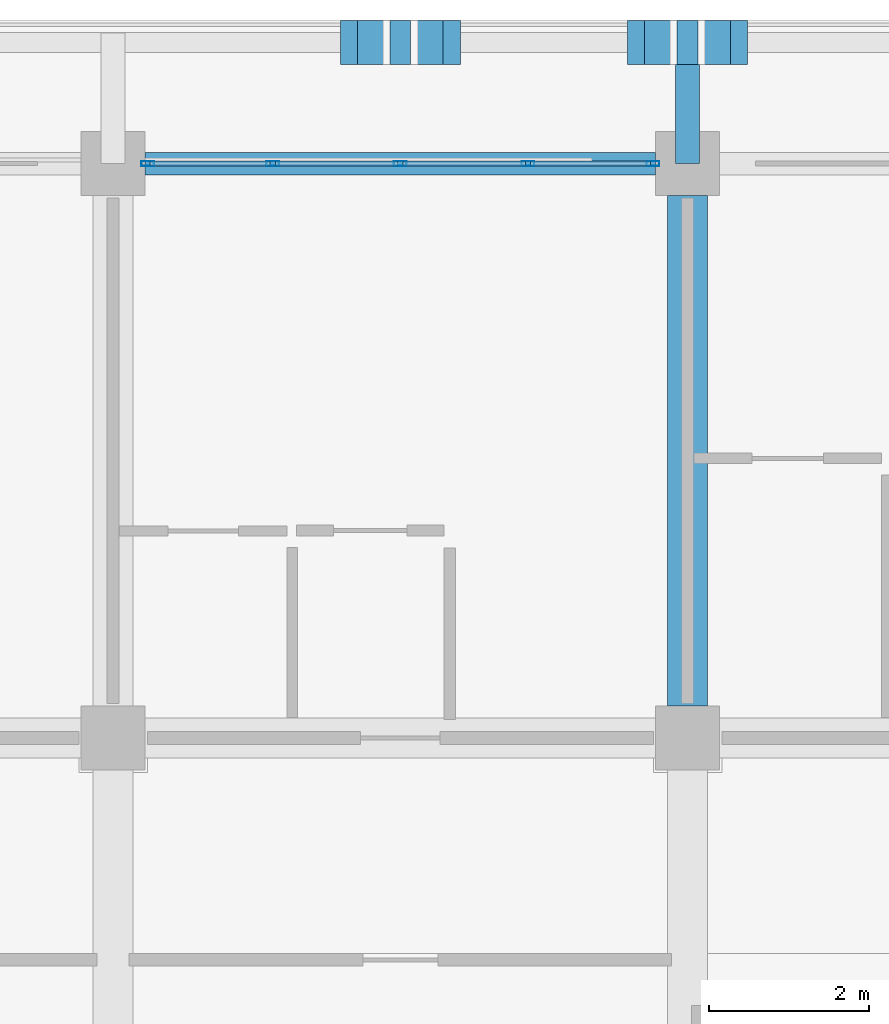
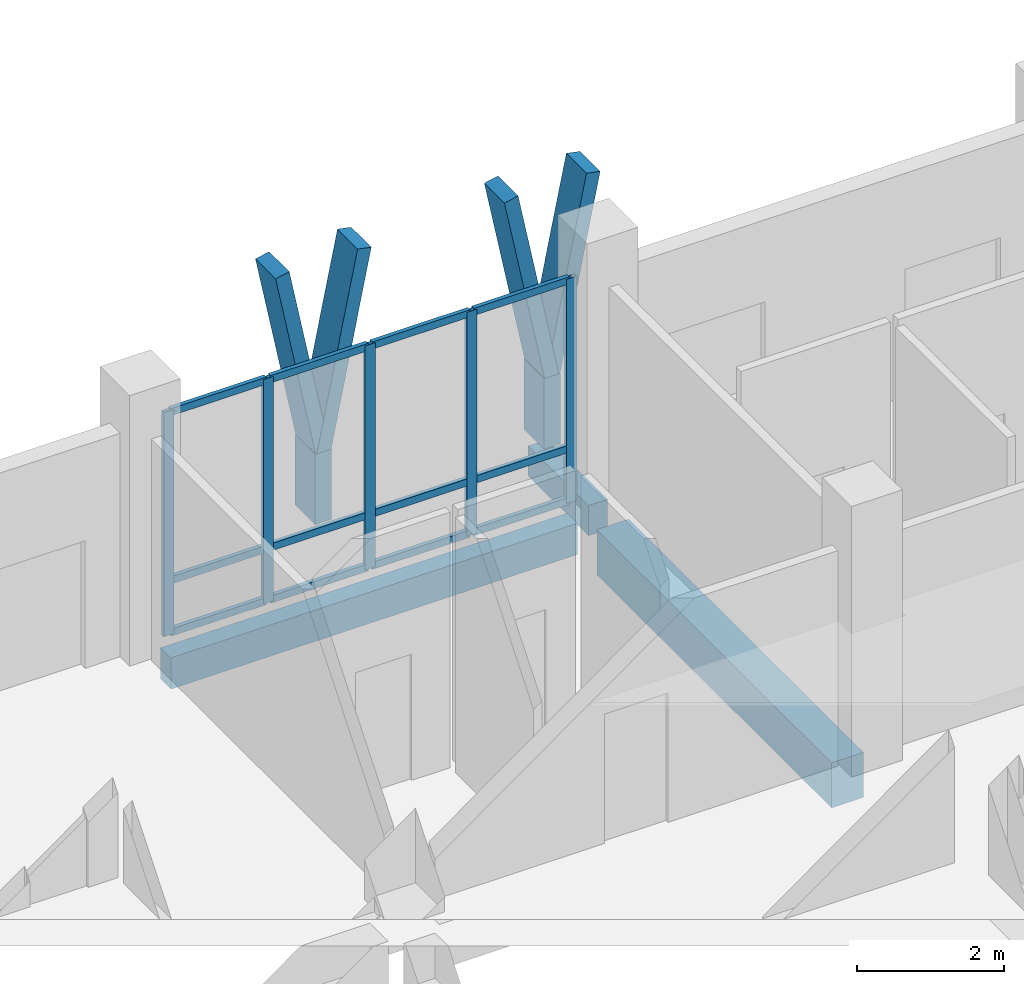
# One storey, part 29 of 110: 23 members, 3 beams, 1 element without a shape of its own.
"""IFC4 building model written with IfcOpenShell, lengths in metres."""

from ifc_helpers import new_model, si_unit, direction, frame, origin, origin_2d, place, context, subcontext, project, spatial, rectangle, hollow_rectangle, extrude, material, material_profile, profile_set, type_object, element, aggregate, save


model = new_model("IFC4")

# Units and contexts
model_context = context("Model", 3, precision=1e-05, world=origin(), true_north=direction((0.0, 1.0)))
body_context = subcontext(model_context, "Body", "Model", "MODEL_VIEW")
ifc_project = project(units=[si_unit("LENGTHUNIT", "METRE"), si_unit("AREAUNIT", "SQUARE_METRE"), si_unit("VOLUMEUNIT", "CUBIC_METRE"), si_unit("PLANEANGLEUNIT", "RADIAN"), si_unit("MASSUNIT", "GRAM", prefix="KILO")], contexts=[model_context])

# Site, building, storey
site_placement = place(None, origin())
site = spatial("IfcSite", under=ifc_project, at=site_placement, CompositionType="ELEMENT")
building_placement = place(site_placement, origin())
building = spatial("IfcBuilding", under=site, at=building_placement, Name="Suanplinth Sawtooth Commons", CompositionType="ELEMENT")
storey_placement = place(building_placement, frame((0.0, 0.0, 4.5)))
storey = spatial("IfcBuildingStorey", under=building, at=storey_placement, Name="L01", CompositionType="ELEMENT", Elevation=4.5)

# Beams
ifc_material_1 = material(Name="Concrete C40/50", Category="concrete")
ifc_material_profile_1 = material_profile(ifc_material_1, rectangle(XDim=0.5, YDim=0.75, at=origin_2d()), Name="RC-GDR 500x750")
ifc_profile_set_1 = profile_set([ifc_material_profile_1], Name="Concrete C40/50")
beam_type_1 = type_object("IfcBeamType", Name="B-03", PredefinedType="USERDEFINED", material=ifc_profile_set_1)
beam_1_placement = place(storey_placement, frame((43.199951171875, 115.60009765625, -0.675048828125), z_axis=(0.0, 1.0, 0.0), x_axis=(-1.0, 0.0, 0.0)))
element("IfcBeam", 1, at=beam_1_placement, inside=storey, type_object=beam_type_1, Name="BMY-L01-A-6-16", ObjectType="GIRDER", PredefinedType="USERDEFINED", context=body_context, shape_type="SweptSolid", body=[
    extrude(rectangle(XDim=0.5, YDim=0.75, at=origin_2d()), origin(), (0.0, 0.0, 1.0), 6.39990234375),
])
ifc_material_2 = material(Name="Precast concrete C40/50", Category="concrete")
ifc_material_profile_2 = material_profile(ifc_material_2, rectangle(XDim=0.300048828125, YDim=0.5, at=origin_2d()), Name="PC-BM 300x500")
ifc_profile_set_2 = profile_set([ifc_material_profile_2], Name="Precast concrete C40/50")
beam_type_2 = type_object("IfcBeamType", Name="B-07", PredefinedType="BEAM", material=ifc_profile_set_2)
beam_2_placement = place(storey_placement, frame((43.199951171875, 122.39990234375, -0.429931640625), z_axis=(0.0, 1.0, 0.0), x_axis=(-1.0, 0.0, 0.0)))
element("IfcBeam", 2, at=beam_2_placement, inside=storey, type_object=beam_type_2, Name="Balcony Outrigger L01-A-N-6", PredefinedType="BEAM", context=body_context, shape_type="SweptSolid", body=[
    extrude(rectangle(XDim=0.300048828125, YDim=0.5, at=origin_2d()), origin(), (0.0, 0.0, 1.0), 1.64013671875),
])
ifc_material_profile_3 = material_profile(ifc_material_2, rectangle(XDim=0.280029296875, YDim=0.52001953125, at=origin_2d()), Name="PC-SP 280x520")
ifc_profile_set_3 = profile_set([ifc_material_profile_3], Name="Precast concrete C40/50")
beam_type_3 = type_object("IfcBeamType", Name="B-08", PredefinedType="SPANDREL", material=ifc_profile_set_3)
beam_3_placement = place(storey_placement, frame((36.39990234375, 122.39990234375, -0.56005859375), z_axis=(1.0, 0.0, 0.0), x_axis=(0.0, 1.0, 0.0)))
element("IfcBeam", 3, at=beam_3_placement, inside=storey, type_object=beam_type_3, Name="BMX-L01-A-5-17", PredefinedType="SPANDREL", context=body_context, shape_type="SweptSolid", body=[
    extrude(rectangle(XDim=0.280029296875, YDim=0.52001953125, at=origin_2d()), origin(), (0.0, 0.0, 1.0), 6.400146484375),
])

# Members
ifc_material_3 = material(Name="Pigmented precast concrete C40/50", Category="concrete")
ifc_material_profile_4 = material_profile(ifc_material_3, rectangle(XDim=0.260009765625, YDim=0.550048828125, at=origin_2d()), Name="PC-FIN 260x550")
ifc_profile_set_4 = profile_set([ifc_material_profile_4], Name="Pigmented precast concrete C40/50")
member_type_1 = type_object("IfcMemberType", Name="M-09", PredefinedType="USERDEFINED", material=ifc_profile_set_4)
for number, where, z_axis, x_axis, name in (
    (4, (39.60009765625, 123.919921875, 0.0), (0.0, 0.0, 1.0), (1.0, 0.0, 0.0), "Y-Blade Stem L01-A-N-04"),
    (5, (43.199951171875, 123.919921875, 0.0), (0.0, 0.0, 1.0), (1.0, 0.0, 0.0), "Y-Blade Stem L01-A-N-05"),
):
    element("IfcMember", number, at=place(storey_placement, frame(where, z_axis=z_axis, x_axis=x_axis)), inside=storey, type_object=member_type_1, Name=name, ObjectType="SHADING FIN", PredefinedType="USERDEFINED", context=body_context, shape_type="SweptSolid", body=[
        extrude(rectangle(XDim=0.260009765625, YDim=0.550048828125, at=origin_2d()), origin(), (0.0, 0.0, 1.0), 1.169921875),
    ])
ifc_material_profile_5 = material_profile(ifc_material_3, rectangle(XDim=0.219970703125, YDim=0.550048828125, at=origin_2d()), Name="PC-FIN 220x550")
ifc_profile_set_5 = profile_set([ifc_material_profile_5], Name="Pigmented precast concrete C40/50")
member_type_2 = type_object("IfcMemberType", Name="M-10", PredefinedType="USERDEFINED", material=ifc_profile_set_5)
member_1_placement = place(storey_placement, frame((39.60009765625, 123.919921875, 1.1298828125), z_axis=(-0.197582858822, 0.0, 0.980286189793), x_axis=(0.980286189793, 0.0, 0.197582858822)))
element("IfcMember", 6, at=member_1_placement, inside=storey, type_object=member_type_2, Name="Y-Blade Arm L L01-A-N-04", ObjectType="SHADING FIN", PredefinedType="USERDEFINED", context=body_context, shape_type="SweptSolid", body=[
    extrude(rectangle(XDim=0.219970703125, YDim=0.550048828125, at=origin_2d()), origin(), (0.0, 0.0, 1.0), 3.2646484375),
])
for number, where, z_axis, x_axis, name in (
    (7, (39.60009765625, 123.919921875, 1.1298828125), (0.197510991436, 0.0, 0.980300672377), (-0.980300672377, 0.0, 0.197510991436), "Y-Blade Arm R L01-A-N-04"),
    (8, (43.199951171875, 123.919921875, 1.1298828125), (-0.197510991436, 0.0, 0.980300672377), (0.980300672377, 0.0, 0.197510991436), "Y-Blade Arm L L01-A-N-05"),
):
    element("IfcMember", number, at=place(storey_placement, frame(where, z_axis=z_axis, x_axis=x_axis)), inside=storey, type_object=member_type_2, Name=name, ObjectType="SHADING FIN", PredefinedType="USERDEFINED", context=body_context, shape_type="SweptSolid", body=[
        extrude(rectangle(XDim=0.219970703125, YDim=0.550048828125, at=origin_2d()), origin(), (0.0, 0.0, 1.0), 3.264404296875),
    ])
member_2_placement = place(storey_placement, frame((43.199951171875, 123.919921875, 1.1298828125), z_axis=(0.197582858822, 0.0, 0.980286189793), x_axis=(-0.980286189793, 0.0, 0.197582858822)))
element("IfcMember", 9, at=member_2_placement, inside=storey, type_object=member_type_2, Name="Y-Blade Arm R L01-A-N-05", ObjectType="SHADING FIN", PredefinedType="USERDEFINED", context=body_context, shape_type="SweptSolid", body=[
    extrude(rectangle(XDim=0.219970703125, YDim=0.550048828125, at=origin_2d()), origin(), (0.0, 0.0, 1.0), 3.2646484375),
])

# Curtain wall, members
ifc_material_4 = material(Name="Anodized aluminium and low-E glazing", Category="aluminium")
curtain_wall_type = type_object("IfcCurtainWallType", Name="CW-06", PredefinedType="USERDEFINED", material=ifc_material_4)
curtain_wall_placement = place(storey_placement, origin())
curtain_wall = element("IfcCurtainWall", 10, at=curtain_wall_placement, inside=storey, type_object=curtain_wall_type, Name="Curtain Wall CW-L01-A-LOUNGE-5", ObjectType="CURTAIN WALL", PredefinedType="USERDEFINED")
ifc_material_5 = material(Name="Anodized aluminium 6063-T6", Category="aluminium")
ifc_material_profile_6 = material_profile(ifc_material_5, hollow_rectangle(XDim=0.06494140625, YDim=0.159912109375, WallThickness=0.00390625, at=origin_2d()), Name="ALU-MUL 65x160")
ifc_profile_set_6 = profile_set([ifc_material_profile_6], Name="Anodized aluminium 6063-T6")
member_type_3 = type_object("IfcMemberType", Name="M-13", PredefinedType="MULLION", material=ifc_profile_set_6)
member_3_placement = place(storey_placement, frame((36.4326171875, 122.39990234375, 0.0), z_axis=(0.0, 0.0, 1.0), x_axis=(0.0, 1.0, 0.0)))
member_3 = element("IfcMember", 11, at=member_3_placement, type_object=member_type_3, Name="CW-06 mullion 1", PredefinedType="MULLION", context=body_context, shape_type="SweptSolid", body=[
    extrude(hollow_rectangle(XDim=0.06494140625, YDim=0.159912109375, WallThickness=0.00390625, at=origin_2d()), origin(), (0.0, 0.0, 1.0), 3.72998046875),
])
member_4_placement = place(storey_placement, frame((38.0, 122.39990234375, 0.0), z_axis=(0.0, 0.0, 1.0), x_axis=(0.0, 1.0, 0.0)))
member_4 = element("IfcMember", 12, at=member_4_placement, type_object=member_type_3, Name="CW-06 mullion 2", PredefinedType="MULLION", context=body_context, shape_type="SweptSolid", body=[
    extrude(hollow_rectangle(XDim=0.06494140625, YDim=0.159912109375, WallThickness=0.00390625, at=origin_2d()), origin(), (0.0, 0.0, 1.0), 3.72998046875),
])
member_5_placement = place(storey_placement, frame((39.60009765625, 122.39990234375, 0.0), z_axis=(0.0, 0.0, 1.0), x_axis=(0.0, 1.0, 0.0)))
member_5 = element("IfcMember", 13, at=member_5_placement, type_object=member_type_3, Name="CW-06 mullion 3", PredefinedType="MULLION", context=body_context, shape_type="SweptSolid", body=[
    extrude(hollow_rectangle(XDim=0.06494140625, YDim=0.159912109375, WallThickness=0.00390625, at=origin_2d()), origin(), (0.0, 0.0, 1.0), 3.72998046875),
])
member_6_placement = place(storey_placement, frame((41.199951171875, 122.39990234375, 0.0), z_axis=(0.0, 0.0, 1.0), x_axis=(0.0, 1.0, 0.0)))
member_6 = element("IfcMember", 14, at=member_6_placement, type_object=member_type_3, Name="CW-06 mullion 4", PredefinedType="MULLION", context=body_context, shape_type="SweptSolid", body=[
    extrude(hollow_rectangle(XDim=0.06494140625, YDim=0.159912109375, WallThickness=0.00390625, at=origin_2d()), origin(), (0.0, 0.0, 1.0), 3.72998046875),
])
member_7_placement = place(storey_placement, frame((42.767578125, 122.39990234375, 0.0), z_axis=(0.0, 0.0, 1.0), x_axis=(0.0, 1.0, 0.0)))
member_7 = element("IfcMember", 15, at=member_7_placement, type_object=member_type_3, Name="CW-06 mullion 5", PredefinedType="MULLION", context=body_context, shape_type="SweptSolid", body=[
    extrude(hollow_rectangle(XDim=0.06494140625, YDim=0.159912109375, WallThickness=0.00390625, at=origin_2d()), origin(), (0.0, 0.0, 1.0), 3.72998046875),
])
ifc_material_profile_7 = material_profile(ifc_material_5, hollow_rectangle(XDim=0.06494140625, YDim=0.1201171875, WallThickness=0.00390625, at=origin_2d()), Name="ALU-TRN 65x120")
ifc_profile_set_7 = profile_set([ifc_material_profile_7], Name="Anodized aluminium 6063-T6")
member_type_4 = type_object("IfcMemberType", Name="M-15", PredefinedType="USERDEFINED", material=ifc_profile_set_7)
member_8_placement = place(storey_placement, frame((36.465087890625, 122.39990234375, 0.032470703125), z_axis=(1.0, 0.0, 0.0), x_axis=(0.0, 1.0, 0.0)))
member_8 = element("IfcMember", 16, at=member_8_placement, type_object=member_type_4, Name="CW-06 transom 1.1", ObjectType="TRANSOM", PredefinedType="USERDEFINED", context=body_context, shape_type="SweptSolid", body=[
    extrude(hollow_rectangle(XDim=0.06494140625, YDim=0.1201171875, WallThickness=0.00390625, at=origin_2d()), origin(), (0.0, 0.0, 1.0), 1.50244140625),
])
member_9_placement = place(storey_placement, frame((36.465087890625, 122.39990234375, 0.89990234375), z_axis=(1.0, 0.0, 0.0), x_axis=(0.0, 1.0, 0.0)))
member_9 = element("IfcMember", 17, at=member_9_placement, type_object=member_type_4, Name="CW-06 transom 1.2", ObjectType="TRANSOM", PredefinedType="USERDEFINED", context=body_context, shape_type="SweptSolid", body=[
    extrude(hollow_rectangle(XDim=0.06494140625, YDim=0.1201171875, WallThickness=0.00390625, at=origin_2d()), origin(), (0.0, 0.0, 1.0), 1.50244140625),
])
member_10_placement = place(storey_placement, frame((36.465087890625, 122.39990234375, 3.697509765625), z_axis=(1.0, 0.0, 0.0), x_axis=(0.0, 1.0, 0.0)))
member_10 = element("IfcMember", 18, at=member_10_placement, type_object=member_type_4, Name="CW-06 transom 1.3", ObjectType="TRANSOM", PredefinedType="USERDEFINED", context=body_context, shape_type="SweptSolid", body=[
    extrude(hollow_rectangle(XDim=0.06494140625, YDim=0.1201171875, WallThickness=0.00390625, at=origin_2d()), origin(), (0.0, 0.0, 1.0), 1.50244140625),
])
member_11_placement = place(storey_placement, frame((38.032470703125, 122.39990234375, 0.032470703125), z_axis=(1.0, 0.0, 0.0), x_axis=(0.0, 1.0, 0.0)))
member_11 = element("IfcMember", 19, at=member_11_placement, type_object=member_type_4, Name="CW-06 transom 2.1", ObjectType="TRANSOM", PredefinedType="USERDEFINED", context=body_context, shape_type="SweptSolid", body=[
    extrude(hollow_rectangle(XDim=0.06494140625, YDim=0.1201171875, WallThickness=0.00390625, at=origin_2d()), origin(), (0.0, 0.0, 1.0), 1.534912109375),
])
member_12_placement = place(storey_placement, frame((38.032470703125, 122.39990234375, 0.89990234375), z_axis=(1.0, 0.0, 0.0), x_axis=(0.0, 1.0, 0.0)))
member_12 = element("IfcMember", 20, at=member_12_placement, type_object=member_type_4, Name="CW-06 transom 2.2", ObjectType="TRANSOM", PredefinedType="USERDEFINED", context=body_context, shape_type="SweptSolid", body=[
    extrude(hollow_rectangle(XDim=0.06494140625, YDim=0.1201171875, WallThickness=0.00390625, at=origin_2d()), origin(), (0.0, 0.0, 1.0), 1.534912109375),
])
member_13_placement = place(storey_placement, frame((38.032470703125, 122.39990234375, 3.697509765625), z_axis=(1.0, 0.0, 0.0), x_axis=(0.0, 1.0, 0.0)))
member_13 = element("IfcMember", 21, at=member_13_placement, type_object=member_type_4, Name="CW-06 transom 2.3", ObjectType="TRANSOM", PredefinedType="USERDEFINED", context=body_context, shape_type="SweptSolid", body=[
    extrude(hollow_rectangle(XDim=0.06494140625, YDim=0.1201171875, WallThickness=0.00390625, at=origin_2d()), origin(), (0.0, 0.0, 1.0), 1.534912109375),
])
member_14_placement = place(storey_placement, frame((39.632568359375, 122.39990234375, 0.032470703125), z_axis=(1.0, 0.0, 0.0), x_axis=(0.0, 1.0, 0.0)))
member_14 = element("IfcMember", 22, at=member_14_placement, type_object=member_type_4, Name="CW-06 transom 3.1", ObjectType="TRANSOM", PredefinedType="USERDEFINED", context=body_context, shape_type="SweptSolid", body=[
    extrude(hollow_rectangle(XDim=0.06494140625, YDim=0.1201171875, WallThickness=0.00390625, at=origin_2d()), origin(), (0.0, 0.0, 1.0), 1.534912109375),
])
member_15_placement = place(storey_placement, frame((39.632568359375, 122.39990234375, 0.89990234375), z_axis=(1.0, 0.0, 0.0), x_axis=(0.0, 1.0, 0.0)))
member_15 = element("IfcMember", 23, at=member_15_placement, type_object=member_type_4, Name="CW-06 transom 3.2", ObjectType="TRANSOM", PredefinedType="USERDEFINED", context=body_context, shape_type="SweptSolid", body=[
    extrude(hollow_rectangle(XDim=0.06494140625, YDim=0.1201171875, WallThickness=0.00390625, at=origin_2d()), origin(), (0.0, 0.0, 1.0), 1.534912109375),
])
member_16_placement = place(storey_placement, frame((39.632568359375, 122.39990234375, 3.697509765625), z_axis=(1.0, 0.0, 0.0), x_axis=(0.0, 1.0, 0.0)))
member_16 = element("IfcMember", 24, at=member_16_placement, type_object=member_type_4, Name="CW-06 transom 3.3", ObjectType="TRANSOM", PredefinedType="USERDEFINED", context=body_context, shape_type="SweptSolid", body=[
    extrude(hollow_rectangle(XDim=0.06494140625, YDim=0.1201171875, WallThickness=0.00390625, at=origin_2d()), origin(), (0.0, 0.0, 1.0), 1.534912109375),
])
member_17_placement = place(storey_placement, frame((41.232421875, 122.39990234375, 0.032470703125), z_axis=(1.0, 0.0, 0.0), x_axis=(0.0, 1.0, 0.0)))
member_17 = element("IfcMember", 25, at=member_17_placement, type_object=member_type_4, Name="CW-06 transom 4.1", ObjectType="TRANSOM", PredefinedType="USERDEFINED", context=body_context, shape_type="SweptSolid", body=[
    extrude(hollow_rectangle(XDim=0.06494140625, YDim=0.1201171875, WallThickness=0.00390625, at=origin_2d()), origin(), (0.0, 0.0, 1.0), 1.502685546875),
])
member_18_placement = place(storey_placement, frame((41.232421875, 122.39990234375, 0.89990234375), z_axis=(1.0, 0.0, 0.0), x_axis=(0.0, 1.0, 0.0)))
member_18 = element("IfcMember", 26, at=member_18_placement, type_object=member_type_4, Name="CW-06 transom 4.2", ObjectType="TRANSOM", PredefinedType="USERDEFINED", context=body_context, shape_type="SweptSolid", body=[
    extrude(hollow_rectangle(XDim=0.06494140625, YDim=0.1201171875, WallThickness=0.00390625, at=origin_2d()), origin(), (0.0, 0.0, 1.0), 1.502685546875),
])
member_19_placement = place(storey_placement, frame((41.232421875, 122.39990234375, 3.697509765625), z_axis=(1.0, 0.0, 0.0), x_axis=(0.0, 1.0, 0.0)))
member_19 = element("IfcMember", 27, at=member_19_placement, type_object=member_type_4, Name="CW-06 transom 4.3", ObjectType="TRANSOM", PredefinedType="USERDEFINED", context=body_context, shape_type="SweptSolid", body=[
    extrude(hollow_rectangle(XDim=0.06494140625, YDim=0.1201171875, WallThickness=0.00390625, at=origin_2d()), origin(), (0.0, 0.0, 1.0), 1.502685546875),
])
aggregate(curtain_wall, [member_3, member_4, member_5, member_6, member_7, member_8, member_9, member_10, member_11, member_12, member_13, member_14, member_15, member_16, member_17, member_18, member_19])

save(model, "model.ifc")
